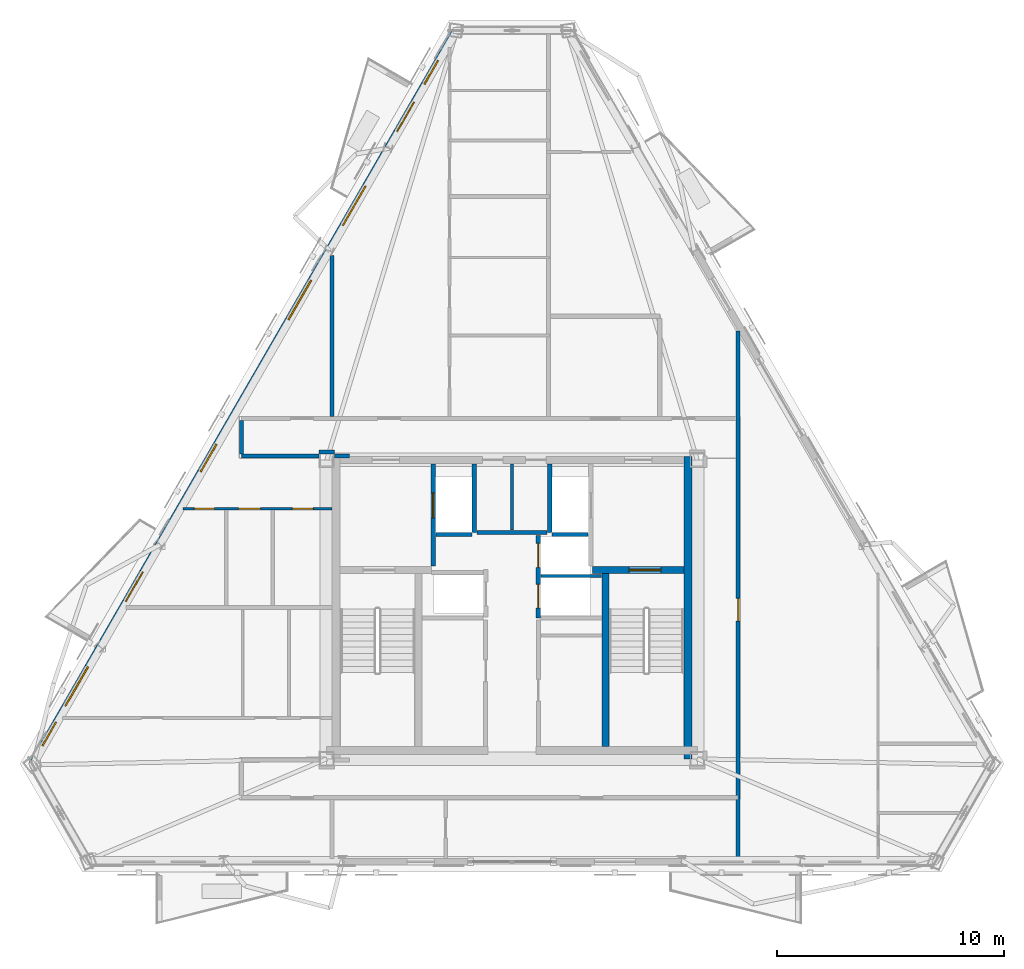
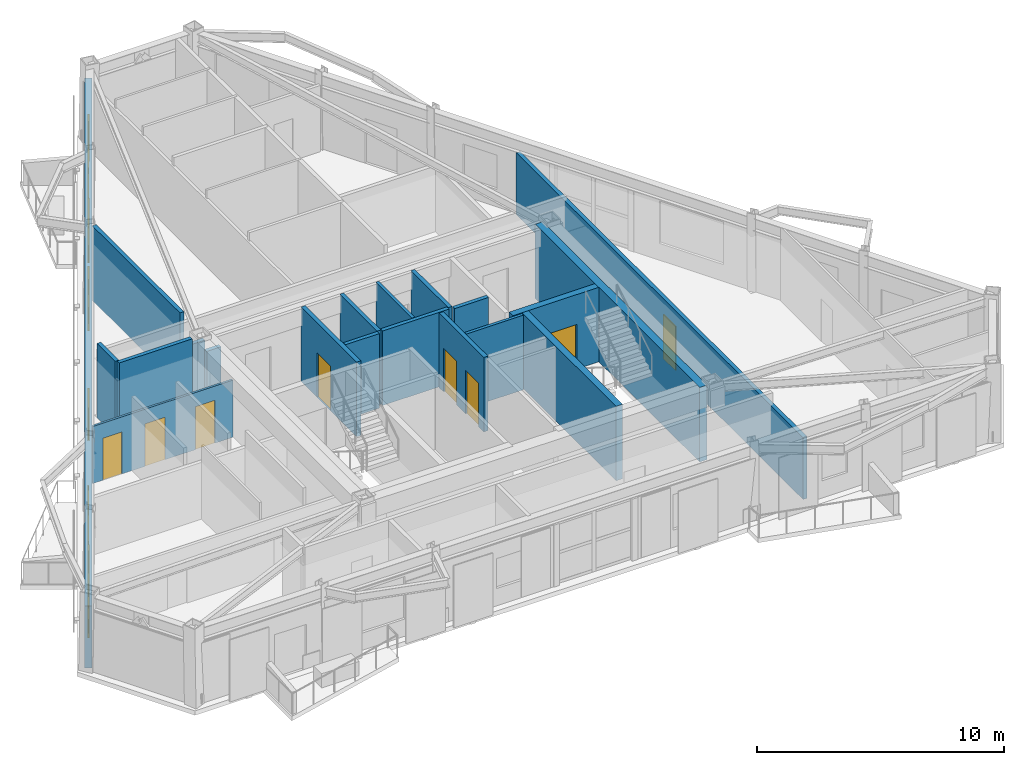
# One storey, part 9 of 15: 20 walls, 10 doors, 6 windows, 16 openings.
"""IFC4 building model written with IfcOpenShell, lengths in metres."""

from ifc_helpers import new_model, si_unit, direction, frame, frame_2d, origin, place, context, subcontext, project, spatial, rectangle, extrude, material, layer, layer_set, type_object, element, fill, save


model = new_model("IFC4")

# Units and contexts
model_context = context("Model", 3, precision=1e-05, world=origin(), true_north=direction((0.0, 1.0)))
body_context = subcontext(model_context, "Body", "Model", "MODEL_VIEW")
ifc_project = project(units=[si_unit("LENGTHUNIT", "METRE"), si_unit("AREAUNIT", "SQUARE_METRE"), si_unit("VOLUMEUNIT", "CUBIC_METRE"), si_unit("PLANEANGLEUNIT", "RADIAN"), si_unit("MASSUNIT", "GRAM", prefix="KILO")], contexts=[model_context])

# Site, building, storey
site_placement = place(None, origin())
site = spatial("IfcSite", under=ifc_project, at=site_placement, CompositionType="ELEMENT")
building_placement = place(site_placement, origin())
building = spatial("IfcBuilding", under=site, at=building_placement, Name="Oramaril Tower", CompositionType="ELEMENT")
storey_placement = place(building_placement, frame((0.0, 0.0, 265.5)))
storey = spatial("IfcBuildingStorey", under=building, at=storey_placement, Name="L70", CompositionType="ELEMENT", Elevation=265.5)

# Wall, openings, doors, windows
ifc_material_1 = material(Name="Warm Cream Limestone", Category="masonry")
ifc_layer_1 = layer(ifc_material_1, 0.2900390625)
ifc_layer_set_1 = layer_set([ifc_layer_1], Name="WT-EXT29")
wall_type_1 = type_object("IfcWallType", Name="WT-EXT29", PredefinedType="SOLIDWALL", material=ifc_layer_set_1)
wall_1_placement = place(storey_placement, frame((35.01220703125, 43.04150390625, 0.0), z_axis=(0.0, 0.0, 1.0), x_axis=(-0.49999932964, -0.866025790817, 0.0)))
wall_1 = element("IfcWall", 1, at=wall_1_placement, inside=storey, type_object=wall_type_1, Name="L70 Tower Limestone Facade Wall 6M", PredefinedType="SOLIDWALL", context=body_context, shape_type="SweptSolid", body=[
    extrude(rectangle(XDim=37.248046875, YDim=0.2900390625, at=frame_2d((18.6240234375, 0.0))), origin(), (0.0, 0.0, 1.0), 3.05810546875),
])
opening_1_placement = place(wall_1_placement, frame((3.639404296875, 0.0, 0.0)))
opening_1 = element("IfcOpeningElement", 2, at=opening_1_placement, cuts=wall_1, Name="Opening D-L70-BAL-NW1", PredefinedType="OPENING", context=body_context, shape_type="SweptSolid", body=[
    extrude(rectangle(XDim=1.5, YDim=2.199951171875, at=frame_2d((0.75, 1.10009765625))), frame((0.0, 0.14501953125, 0.0), z_axis=(0.0, -1.0, 0.0), x_axis=(1.0, 0.0, 0.0)), (0.0, 0.0, 1.0), 0.2900390625),
])
opening_2_placement = place(wall_1_placement, frame((27.50390625, 0.0, 0.0)))
opening_2 = element("IfcOpeningElement", 3, at=opening_2_placement, cuts=wall_1, Name="Opening D-L70-BAL-NW2", PredefinedType="OPENING", context=body_context, shape_type="SweptSolid", body=[
    extrude(rectangle(XDim=1.5, YDim=2.199951171875, at=frame_2d((0.75, 1.10009765625))), frame((0.0, 0.14501953125, 0.0), z_axis=(0.0, -1.0, 0.0), x_axis=(1.0, 0.0, 0.0)), (0.0, 0.0, 1.0), 0.2900390625),
])
opening_3_placement = place(wall_1_placement, frame((35.134521484375, 0.0, 0.85009765625)))
opening_3 = element("IfcOpeningElement", 4, at=opening_3_placement, cuts=wall_1, Name="Opening WN-09", PredefinedType="OPENING", context=body_context, shape_type="SweptSolid", body=[
    extrude(rectangle(XDim=1.199951171875, YDim=1.47998046875, at=frame_2d((0.60009765625, 0.739990234375))), frame((0.0, 0.14501953125, 0.0), z_axis=(0.0, -1.0, 0.0), x_axis=(1.0, 0.0, 0.0)), (0.0, 0.0, 1.0), 0.2900390625),
])
opening_4_placement = place(wall_1_placement, frame((32.3212890625, 0.0, 0.85009765625)))
opening_4 = element("IfcOpeningElement", 5, at=opening_4_placement, cuts=wall_1, Name="Opening WN-05", PredefinedType="OPENING", context=body_context, shape_type="SweptSolid", body=[
    extrude(rectangle(XDim=2.0, YDim=1.800048828125, at=frame_2d((1.0, 0.89990234375))), frame((0.0, 0.14501953125, 0.0), z_axis=(0.0, -1.0, 0.0), x_axis=(1.0, 0.0, 0.0)), (0.0, 0.0, 1.0), 0.2900390625),
])
opening_5_placement = place(wall_1_placement, frame((12.69091796875, 0.0, 0.85009765625)))
opening_5 = element("IfcOpeningElement", 6, at=opening_5_placement, cuts=wall_1, Name="Opening WN-05", PredefinedType="OPENING", context=body_context, shape_type="SweptSolid", body=[
    extrude(rectangle(XDim=2.0, YDim=1.800048828125, at=frame_2d((1.0, 0.89990234375))), frame((0.0, 0.14501953125, 0.0), z_axis=(0.0, -1.0, 0.0), x_axis=(1.0, 0.0, 0.0)), (0.0, 0.0, 1.0), 0.2900390625),
])
opening_6_placement = place(wall_1_placement, frame((21.018798828125, 0.0, 0.85009765625)))
opening_6 = element("IfcOpeningElement", 7, at=opening_6_placement, cuts=wall_1, Name="Opening WN-08", PredefinedType="OPENING", context=body_context, shape_type="SweptSolid", body=[
    extrude(rectangle(XDim=1.39990234375, YDim=1.60009765625, at=frame_2d((0.699951171875, 0.800048828125))), frame((0.0, 0.14501953125, 0.0), z_axis=(0.0, -1.0, 0.0), x_axis=(1.0, 0.0, 0.0)), (0.0, 0.0, 1.0), 0.2900390625),
])
opening_7_placement = place(wall_1_placement, frame((1.52880859375, 0.0, 0.85009765625)))
opening_7 = element("IfcOpeningElement", 8, at=opening_7_placement, cuts=wall_1, Name="Opening WN-09", PredefinedType="OPENING", context=body_context, shape_type="SweptSolid", body=[
    extrude(rectangle(XDim=1.199951171875, YDim=1.47998046875, at=frame_2d((0.60009765625, 0.739990234375))), frame((0.0, 0.14501953125, 0.0), z_axis=(0.0, -1.0, 0.0), x_axis=(1.0, 0.0, 0.0)), (0.0, 0.0, 1.0), 0.2900390625),
])
opening_8_placement = place(wall_1_placement, frame((7.90380859375, 0.0, 0.85009765625)))
opening_8 = element("IfcOpeningElement", 9, at=opening_8_placement, cuts=wall_1, Name="Opening WN-05", PredefinedType="OPENING", context=body_context, shape_type="SweptSolid", body=[
    extrude(rectangle(XDim=2.0, YDim=1.800048828125, at=frame_2d((1.0, 0.89990234375))), frame((0.0, 0.14501953125, 0.0), z_axis=(0.0, -1.0, 0.0), x_axis=(1.0, 0.0, 0.0)), (0.0, 0.0, 1.0), 0.2900390625),
])
ifc_material_2 = material(Name="Anodised Aluminium 6063-T6", Category="aluminium")
door_type_1 = type_object("IfcDoorType", Name="DT-BAL", OperationType="NOTDEFINED", PredefinedType="DOOR", material=ifc_material_2)
door_1_placement = place(opening_1_placement, origin())
door_1 = element("IfcDoor", 10, at=door_1_placement, inside=storey, type_object=door_type_1, Name="L70 Balcony Glazed Door L70-BAL-NW1", OperationType="SINGLE_SWING_LEFT", OverallHeight=2.199951171875, OverallWidth=1.5, PredefinedType="DOOR", context=body_context, shape_type="SweptSolid", body=[
    extrude(rectangle(XDim=1.5, YDim=2.199951171875, at=frame_2d((0.75, 1.10009765625))), frame((0.0, 0.02490234375, 0.0), z_axis=(0.0, -1.0, 0.0), x_axis=(1.0, 0.0, 0.0)), (0.0, 0.0, 1.0), 0.050048828125),
])
fill(opening_1, door_1)
door_2_placement = place(opening_2_placement, origin())
door_2 = element("IfcDoor", 11, at=door_2_placement, inside=storey, type_object=door_type_1, Name="L70 Balcony Glazed Door L70-BAL-NW2", OperationType="SINGLE_SWING_RIGHT", OverallHeight=2.199951171875, OverallWidth=1.5, PredefinedType="DOOR", context=body_context, shape_type="SweptSolid", body=[
    extrude(rectangle(XDim=1.5, YDim=2.199951171875, at=frame_2d((0.75, 1.10009765625))), frame((0.0, 0.02490234375, 0.0), z_axis=(0.0, -1.0, 0.0), x_axis=(1.0, 0.0, 0.0)), (0.0, 0.0, 1.0), 0.050048828125),
])
fill(opening_2, door_2)
ifc_material_3 = material(Name="Coastal Low-E Insulated Glass", Category="glass")
window_type_1 = type_object("IfcWindowType", Name="WNT-05", PartitioningType="SINGLE_PANEL", PredefinedType="WINDOW", material=ifc_material_3)
window_1_placement = place(opening_4_placement, origin())
window_1 = element("IfcWindow", 12, at=window_1_placement, inside=storey, type_object=window_type_1, Name="L70 Chicago Bay Window WN-05", OverallHeight=1.800048828125, OverallWidth=2.0, PartitioningType="SINGLE_PANEL", PredefinedType="WINDOW", context=body_context, shape_type="SweptSolid", body=[
    extrude(rectangle(XDim=2.0, YDim=1.800048828125, at=frame_2d((1.0, 0.89990234375))), frame((0.0, 0.030029296875, 0.0), z_axis=(0.0, -1.0, 0.0), x_axis=(1.0, 0.0, 0.0)), (0.0, 0.0, 1.0), 0.06005859375),
])
fill(opening_4, window_1)
window_2_placement = place(opening_5_placement, origin())
window_2 = element("IfcWindow", 13, at=window_2_placement, inside=storey, type_object=window_type_1, Name="L70 Chicago Bay Window WN-05", OverallHeight=1.800048828125, OverallWidth=2.0, PartitioningType="SINGLE_PANEL", PredefinedType="WINDOW", context=body_context, shape_type="SweptSolid", body=[
    extrude(rectangle(XDim=2.0, YDim=1.800048828125, at=frame_2d((1.0, 0.89990234375))), frame((0.0, 0.030029296875, 0.0), z_axis=(0.0, -1.0, 0.0), x_axis=(1.0, 0.0, 0.0)), (0.0, 0.0, 1.0), 0.06005859375),
])
fill(opening_5, window_2)
window_3_placement = place(opening_8_placement, origin())
window_3 = element("IfcWindow", 14, at=window_3_placement, inside=storey, type_object=window_type_1, Name="L70 Chicago Bay Window WN-05", OverallHeight=1.800048828125, OverallWidth=2.0, PartitioningType="SINGLE_PANEL", PredefinedType="WINDOW", context=body_context, shape_type="SweptSolid", body=[
    extrude(rectangle(XDim=2.0, YDim=1.800048828125, at=frame_2d((1.0, 0.89990234375))), frame((0.0, 0.030029296875, 0.0), z_axis=(0.0, -1.0, 0.0), x_axis=(1.0, 0.0, 0.0)), (0.0, 0.0, 1.0), 0.06005859375),
])
fill(opening_8, window_3)
ifc_material_4 = material(Name="Coastal Low-E Insulated Glass", Category="glass")
window_type_2 = type_object("IfcWindowType", Name="WNT-08", PartitioningType="SINGLE_PANEL", PredefinedType="WINDOW", material=ifc_material_4)
window_4_placement = place(opening_6_placement, origin())
window_4 = element("IfcWindow", 15, at=window_4_placement, inside=storey, type_object=window_type_2, Name="L70 Chicago Bay Window WN-08", OverallHeight=1.60009765625, OverallWidth=1.39990234375, PartitioningType="SINGLE_PANEL", PredefinedType="WINDOW", context=body_context, shape_type="SweptSolid", body=[
    extrude(rectangle(XDim=1.39990234375, YDim=1.60009765625, at=frame_2d((0.699951171875, 0.800048828125))), frame((0.0, 0.030029296875, 0.0), z_axis=(0.0, -1.0, 0.0), x_axis=(1.0, 0.0, 0.0)), (0.0, 0.0, 1.0), 0.06005859375),
])
fill(opening_6, window_4)
ifc_material_5 = material(Name="Coastal Low-E Insulated Glass", Category="glass")
window_type_3 = type_object("IfcWindowType", Name="WNT-09", PartitioningType="SINGLE_PANEL", PredefinedType="WINDOW", material=ifc_material_5)
window_5_placement = place(opening_3_placement, origin())
window_5 = element("IfcWindow", 16, at=window_5_placement, inside=storey, type_object=window_type_3, Name="L70 Chicago Bay Window WN-09", OverallHeight=1.47998046875, OverallWidth=1.199951171875, PartitioningType="SINGLE_PANEL", PredefinedType="WINDOW", context=body_context, shape_type="SweptSolid", body=[
    extrude(rectangle(XDim=1.199951171875, YDim=1.47998046875, at=frame_2d((0.60009765625, 0.739990234375))), frame((0.0, 0.030029296875, 0.0), z_axis=(0.0, -1.0, 0.0), x_axis=(1.0, 0.0, 0.0)), (0.0, 0.0, 1.0), 0.06005859375),
])
fill(opening_3, window_5)
window_6_placement = place(opening_7_placement, origin())
window_6 = element("IfcWindow", 17, at=window_6_placement, inside=storey, type_object=window_type_3, Name="L70 Chicago Bay Window WN-09", OverallHeight=1.47998046875, OverallWidth=1.199951171875, PartitioningType="SINGLE_PANEL", PredefinedType="WINDOW", context=body_context, shape_type="SweptSolid", body=[
    extrude(rectangle(XDim=1.199951171875, YDim=1.47998046875, at=frame_2d((0.60009765625, 0.739990234375))), frame((0.0, 0.030029296875, 0.0), z_axis=(0.0, -1.0, 0.0), x_axis=(1.0, 0.0, 0.0)), (0.0, 0.0, 1.0), 0.06005859375),
])
fill(opening_7, window_6)

# Wall, openings, doors
ifc_material_6 = material(Name="Acoustic Gypsum Board Partition")
ifc_layer_2 = layer(ifc_material_6, 0.10009765625)
ifc_layer_set_2 = layer_set([ifc_layer_2], Name="WT-PT10")
wall_type_2 = type_object("IfcWallType", Name="WT-PT10", PredefinedType="PARTITIONING", material=ifc_layer_set_2)
wall_2_placement = place(storey_placement, frame((23.035888671875, 22.0, 0.0), z_axis=(0.0, 0.0, 1.0), x_axis=(1.0, 0.0, 0.0)))
wall_2 = element("IfcWall", 18, at=wall_2_placement, inside=storey, type_object=wall_type_2, Name="L70 Interior Partition PT-10", PredefinedType="PARTITIONING", context=body_context, shape_type="SweptSolid", body=[
    extrude(rectangle(XDim=6.550048828125, YDim=0.10009765625, at=frame_2d((3.27490234375, 0.0))), origin(), (0.0, 0.0, 1.0), 2.820068359375),
])
opening_9_placement = place(wall_2_placement, frame((0.4912109375, 0.0, 0.0)))
opening_9 = element("IfcOpeningElement", 19, at=opening_9_placement, cuts=wall_2, Name="Opening D-L70-06", PredefinedType="OPENING", context=body_context, shape_type="SweptSolid", body=[
    extrude(rectangle(XDim=0.8798828125, YDim=2.080078125, at=frame_2d((0.43994140625, 1.0400390625))), frame((0.0, 0.050048828125, 0.0), z_axis=(0.0, -1.0, 0.0), x_axis=(1.0, 0.0, 0.0)), (0.0, 0.0, 1.0), 0.10009765625),
])
opening_10_placement = place(wall_2_placement, frame((2.441162109375, 0.0, 0.0)))
opening_10 = element("IfcOpeningElement", 20, at=opening_10_placement, cuts=wall_2, Name="Opening D-L70-07", PredefinedType="OPENING", context=body_context, shape_type="SweptSolid", body=[
    extrude(rectangle(XDim=0.949951171875, YDim=2.10009765625, at=frame_2d((0.47509765625, 1.050048828125))), frame((0.0, 0.050048828125, 0.0), z_axis=(0.0, -1.0, 0.0), x_axis=(1.0, 0.0, 0.0)), (0.0, 0.0, 1.0), 0.10009765625),
])
opening_11_placement = place(wall_2_placement, frame((4.797607421875, 0.0, 0.0)))
opening_11 = element("IfcOpeningElement", 21, at=opening_11_placement, cuts=wall_2, Name="Opening D-L70-08", PredefinedType="OPENING", context=body_context, shape_type="SweptSolid", body=[
    extrude(rectangle(XDim=0.919921875, YDim=2.1201171875, at=frame_2d((0.4599609375, 1.06005859375))), frame((0.0, 0.050048828125, 0.0), z_axis=(0.0, -1.0, 0.0), x_axis=(1.0, 0.0, 0.0)), (0.0, 0.0, 1.0), 0.10009765625),
])
ifc_material_7 = material(Name="FSC Brazilian Freijo Hardwood", Category="wood")
door_type_2 = type_object("IfcDoorType", Name="DT-BATH", OperationType="NOTDEFINED", PredefinedType="DOOR", material=ifc_material_7)
door_3_placement = place(opening_9_placement, origin())
door_3 = element("IfcDoor", 22, at=door_3_placement, inside=storey, type_object=door_type_2, Name="L70 Flat L70-U3 Bathroom Door D-L70-06", OperationType="SINGLE_SWING_LEFT", OverallHeight=2.080078125, OverallWidth=0.8798828125, PredefinedType="DOOR", context=body_context, shape_type="SweptSolid", body=[
    extrude(rectangle(XDim=0.8798828125, YDim=2.080078125, at=frame_2d((0.43994140625, 1.0400390625))), frame((0.0, 0.02490234375, 0.0), z_axis=(0.0, -1.0, 0.0), x_axis=(1.0, 0.0, 0.0)), (0.0, 0.0, 1.0), 0.050048828125),
])
fill(opening_9, door_3)
ifc_material_8 = material(Name="FSC Brazilian Freijo Hardwood", Category="wood")
door_type_3 = type_object("IfcDoorType", Name="DT-BED", OperationType="NOTDEFINED", PredefinedType="DOOR", material=ifc_material_8)
door_4_placement = place(opening_11_placement, origin())
door_4 = element("IfcDoor", 23, at=door_4_placement, inside=storey, type_object=door_type_3, Name="L70 Flat L70-U3 Master Bedroom Door D-L70-08", OperationType="SINGLE_SWING_LEFT", OverallHeight=2.1201171875, OverallWidth=0.919921875, PredefinedType="DOOR", context=body_context, shape_type="SweptSolid", body=[
    extrude(rectangle(XDim=0.919921875, YDim=2.1201171875, at=frame_2d((0.4599609375, 1.06005859375))), frame((0.0, 0.02490234375, 0.0), z_axis=(0.0, -1.0, 0.0), x_axis=(1.0, 0.0, 0.0)), (0.0, 0.0, 1.0), 0.050048828125),
])
fill(opening_11, door_4)
ifc_material_9 = material(Name="FSC Brazilian Freijo Hardwood", Category="wood")
door_type_4 = type_object("IfcDoorType", Name="DT-STDY", OperationType="NOTDEFINED", PredefinedType="DOOR", material=ifc_material_9)
door_5_placement = place(opening_10_placement, origin())
door_5 = element("IfcDoor", 24, at=door_5_placement, inside=storey, type_object=door_type_4, Name="L70 Flat L70-U3 Kitchen Door D-L70-07", OperationType="SINGLE_SWING_RIGHT", OverallHeight=2.10009765625, OverallWidth=0.949951171875, PredefinedType="DOOR", context=body_context, shape_type="SweptSolid", body=[
    extrude(rectangle(XDim=0.949951171875, YDim=2.10009765625, at=frame_2d((0.47509765625, 1.050048828125))), frame((0.0, 0.02490234375, 0.0), z_axis=(0.0, -1.0, 0.0), x_axis=(1.0, 0.0, 0.0)), (0.0, 0.0, 1.0), 0.050048828125),
])
fill(opening_10, door_5)

# Walls
ifc_material_10 = material(Name="Acoustic Gypsum Board Partition")
ifc_layer_3 = layer(ifc_material_10, 0.139892578125)
ifc_layer_set_3 = layer_set([ifc_layer_3], Name="WT-PT14")
wall_type_3 = type_object("IfcWallType", Name="WT-PT14", PredefinedType="PARTITIONING", material=ifc_layer_set_3)
wall_3_placement = place(storey_placement, frame((38.780029296875, 19.050048828125, 0.0), z_axis=(0.0, 0.0, 1.0), x_axis=(1.0, 0.0, 0.0)))
element("IfcWall", 25, at=wall_3_placement, inside=storey, type_object=wall_type_3, Name="L70 High-Rise Lift H2-H3 Divider", PredefinedType="PARTITIONING", context=body_context, shape_type="SweptSolid", body=[
    extrude(rectangle(XDim=2.659912109375, YDim=0.139892578125, at=frame_2d((1.330078125, 0.0))), origin(), (0.0, 0.0, 1.0), 3.679931640625),
])
wall_4_placement = place(storey_placement, frame((37.5, 21.06005859375, 0.0), z_axis=(0.0, 0.0, 1.0), x_axis=(0.0, 1.0, 0.0)))
element("IfcWall", 26, at=wall_4_placement, inside=storey, type_object=wall_type_3, Name="L70 Core Service Divider", PredefinedType="PARTITIONING", context=body_context, shape_type="SweptSolid", body=[
    extrude(rectangle(XDim=2.919921875, YDim=0.139892578125, at=frame_2d((1.4599609375, 0.0))), origin(), (0.0, 0.0, 1.0), 3.679931640625),
])
ifc_material_11 = material(Name="Autoclaved Cellular Concrete Block", Category="concrete")
ifc_layer_4 = layer(ifc_material_11, 0.179931640625)
ifc_layer_set_4 = layer_set([ifc_layer_4], Name="WT-PT18")
wall_type_4 = type_object("IfcWallType", Name="WT-PT18", PredefinedType="PARTITIONING", material=ifc_layer_set_4)
wall_5_placement = place(storey_placement, frame((35.840087890625, 20.9599609375, 0.0), z_axis=(0.0, 0.0, 1.0), x_axis=(0.0, 1.0, 0.0)))
element("IfcWall", 27, at=wall_5_placement, inside=storey, type_object=wall_type_4, Name="L70 FL-1 East Shaft Wall", PredefinedType="PARTITIONING", context=body_context, shape_type="SweptSolid", body=[
    extrude(rectangle(XDim=3.02001953125, YDim=0.179931640625, at=frame_2d((1.510009765625, 0.0))), origin(), (0.0, 0.0, 1.0), 3.679931640625),
])
wall_6_placement = place(storey_placement, frame((34.159912109375, 20.860107421875, 0.0), z_axis=(0.0, 0.0, 1.0), x_axis=(1.0, 0.0, 0.0)))
element("IfcWall", 28, at=wall_6_placement, inside=storey, type_object=wall_type_4, Name="L70 FL-1 South Shaft Wall", PredefinedType="PARTITIONING", context=body_context, shape_type="SweptSolid", body=[
    extrude(rectangle(XDim=1.580078125, YDim=0.179931640625, at=frame_2d((0.7900390625, 0.0))), origin(), (0.0, 0.0, 1.0), 3.679931640625),
])
wall_7_placement = place(storey_placement, frame((39.159912109375, 20.9599609375, 0.0), z_axis=(0.0, 0.0, 1.0), x_axis=(0.0, 1.0, 0.0)))
element("IfcWall", 29, at=wall_7_placement, inside=storey, type_object=wall_type_4, Name="L70 FL-2 West Shaft Wall", PredefinedType="PARTITIONING", context=body_context, shape_type="SweptSolid", body=[
    extrude(rectangle(XDim=3.02001953125, YDim=0.179931640625, at=frame_2d((1.510009765625, 0.0))), origin(), (0.0, 0.0, 1.0), 3.679931640625),
])
wall_8_placement = place(storey_placement, frame((39.260009765625, 20.860107421875, 0.0), z_axis=(0.0, 0.0, 1.0), x_axis=(1.0, 0.0, 0.0)))
element("IfcWall", 30, at=wall_8_placement, inside=storey, type_object=wall_type_4, Name="L70 FL-2 South Shaft Wall", PredefinedType="PARTITIONING", context=body_context, shape_type="SweptSolid", body=[
    extrude(rectangle(XDim=1.580078125, YDim=0.179931640625, at=frame_2d((0.7900390625, 0.0))), origin(), (0.0, 0.0, 1.0), 3.679931640625),
])
wall_9_placement = place(storey_placement, frame((35.949951171875, 20.949951171875, 0.0), z_axis=(0.0, 0.0, 1.0), x_axis=(1.0, 0.0, 0.0)))
element("IfcWall", 31, at=wall_9_placement, inside=storey, type_object=wall_type_4, Name="L70 Lift Lobby North Partition", PredefinedType="PARTITIONING", context=body_context, shape_type="SweptSolid", body=[
    extrude(rectangle(XDim=3.10009765625, YDim=0.179931640625, at=frame_2d((1.550048828125, 0.0))), origin(), (0.0, 0.0, 1.0), 3.679931640625),
])
wall_10_placement = place(storey_placement, frame((25.60009765625, 24.320068359375, 0.0), z_axis=(0.0, 0.0, 1.0), x_axis=(1.0, 0.0, 0.0)))
element("IfcWall", 32, at=wall_10_placement, inside=storey, type_object=wall_type_4, Name="L70 Interior Partition PT-18", PredefinedType="PARTITIONING", context=body_context, shape_type="SweptSolid", body=[
    extrude(rectangle(XDim=3.409912109375, YDim=0.179931640625, at=frame_2d((1.705078125, 0.0))), origin(), (0.0, 0.0, 1.0), 3.679931640625),
])
wall_11_placement = place(storey_placement, frame((29.68994140625, 24.320068359375, 0.0), z_axis=(0.0, 0.0, 1.0), x_axis=(1.0, 0.0, 0.0)))
element("IfcWall", 33, at=wall_11_placement, inside=storey, type_object=wall_type_4, Name="L70 Interior Partition PT-18", PredefinedType="PARTITIONING", context=body_context, shape_type="SweptSolid", body=[
    extrude(rectangle(XDim=0.6650390625, YDim=0.179931640625, at=frame_2d((0.33251953125, 0.0))), origin(), (0.0, 0.0, 1.0), 2.820068359375),
])
wall_12_placement = place(storey_placement, frame((29.0048828125, 24.5, 0.0), z_axis=(0.0, 0.0, 1.0), x_axis=(1.0, 0.0, 0.0)))
element("IfcWall", 34, at=wall_12_placement, inside=storey, type_object=wall_type_4, Name="L70 Interior Partition PT-18", PredefinedType="PARTITIONING", context=body_context, shape_type="SweptSolid", body=[
    extrude(rectangle(XDim=0.690185546875, YDim=0.179931640625, at=frame_2d((0.34521484375, 0.0))), origin(), (0.0, 0.0, 1.0), 3.26611328125),
])
wall_13_placement = place(storey_placement, frame((25.60009765625, 24.4140625, 0.0), z_axis=(0.0, 0.0, 1.0), x_axis=(0.0, 1.0, 0.0)))
element("IfcWall", 35, at=wall_13_placement, inside=storey, type_object=wall_type_4, Name="L70 Interior Partition PT-18", PredefinedType="PARTITIONING", context=body_context, shape_type="SweptSolid", body=[
    extrude(rectangle(XDim=1.4619140625, YDim=0.179931640625, at=frame_2d((0.73095703125, 0.0))), origin(), (0.0, 0.0, 1.0), 3.679931640625),
])
wall_14_placement = place(storey_placement, frame((29.580078125, 26.06396484375, 0.0), z_axis=(0.0, 0.0, 1.0), x_axis=(0.0, 1.0, 0.0)))
element("IfcWall", 36, at=wall_14_placement, inside=storey, type_object=wall_type_4, Name="L70 Interior Partition PT-18", PredefinedType="PARTITIONING", context=body_context, shape_type="SweptSolid", body=[
    extrude(rectangle(XDim=7.087890625, YDim=0.179931640625, at=frame_2d((3.5439453125, 0.0))), origin(), (0.0, 0.0, 1.0), 3.679931640625),
])

# Wall, opening, door
wall_15_placement = place(storey_placement, frame((47.449951171875, 6.623779296875, 0.0), z_axis=(0.0, 0.0, 1.0), x_axis=(0.0, 1.0, 0.0)))
wall_15 = element("IfcWall", 37, at=wall_15_placement, inside=storey, type_object=wall_type_4, Name="L70 Interior Partition PT-18", PredefinedType="PARTITIONING", context=body_context, shape_type="SweptSolid", body=[
    extrude(rectangle(XDim=23.19482421875, YDim=0.179931640625, at=frame_2d((11.597412109375, 0.0))), origin(), (0.0, 0.0, 1.0), 3.05810546875),
])
opening_12_placement = place(wall_15_placement, frame((10.4365234375, 0.0, 0.0)))
opening_12 = element("IfcOpeningElement", 38, at=opening_12_placement, cuts=wall_15, Name="Opening D-L70-21", PredefinedType="OPENING", context=body_context, shape_type="SweptSolid", body=[
    extrude(rectangle(XDim=1.0, YDim=2.179931640625, at=frame_2d((0.5, 1.08984375))), frame((0.0, 0.08984375, 0.0), z_axis=(0.0, -1.0, 0.0), x_axis=(1.0, 0.0, 0.0)), (0.0, 0.0, 1.0), 0.179931640625),
])
ifc_material_12 = material(Name="FSC Brazilian Freijo Hardwood", Category="wood")
door_type_5 = type_object("IfcDoorType", Name="DT-APT", OperationType="NOTDEFINED", PredefinedType="DOOR", material=ifc_material_12)
door_6_placement = place(opening_12_placement, origin())
door_6 = element("IfcDoor", 39, at=door_6_placement, inside=storey, type_object=door_type_5, Name="L70 Flat L70-U4 Penthouse Living and Dining Room Door D-L70-21", OperationType="SINGLE_SWING_RIGHT", OverallHeight=2.179931640625, OverallWidth=1.0, PredefinedType="DOOR", context=body_context, shape_type="SweptSolid", body=[
    extrude(rectangle(XDim=1.0, YDim=2.179931640625, at=frame_2d((0.5, 1.08984375))), frame((0.0, 0.02490234375, 0.0), z_axis=(0.0, -1.0, 0.0), x_axis=(1.0, 0.0, 0.0)), (0.0, 0.0, 1.0), 0.050048828125),
])
fill(opening_12, door_6)

ifc_material_13 = material(Name="Concrete C50/60", Category="concrete")
ifc_layer_5 = layer(ifc_material_13, 0.300048828125)
ifc_layer_set_5 = layer_set([ifc_layer_5], Name="WT-SH30")
wall_type_5 = type_object("IfcWallType", Name="WT-SH30", PredefinedType="SHEAR", material=ifc_layer_set_5)
wall_16_placement = place(storey_placement, frame((41.050048828125, 19.31005859375, 0.0), z_axis=(0.0, 0.0, 1.0), x_axis=(1.0, 0.0, 0.0)))
wall_16 = element("IfcWall", 40, at=wall_16_placement, inside=storey, type_object=wall_type_5, Name="L70 Core Shear Wall CW-ST2N", PredefinedType="SHEAR", context=body_context, shape_type="SweptSolid", body=[
    extrude(rectangle(XDim=4.010009765625, YDim=0.300048828125, at=frame_2d((2.0048828125, 0.0))), origin(), (0.0, 0.0, 1.0), 3.679931640625),
])
opening_13_placement = place(wall_16_placement, frame((1.60009765625, 0.0, 0.0)))
opening_13 = element("IfcOpeningElement", 41, at=opening_13_placement, cuts=wall_16, Name="Opening D-L70-ST2", PredefinedType="OPENING", context=body_context, shape_type="SweptSolid", body=[
    extrude(rectangle(XDim=1.39990234375, YDim=2.199951171875, at=frame_2d((0.699951171875, 1.10009765625))), frame((0.0, 0.14990234375, 0.0), z_axis=(0.0, -1.0, 0.0), x_axis=(1.0, 0.0, 0.0)), (0.0, 0.0, 1.0), 0.300048828125),
])
ifc_material_14 = material(Name="Painted Galvanised Steel", Category="steel")
door_type_6 = type_object("IfcDoorType", Name="DT-ST", OperationType="NOTDEFINED", PredefinedType="DOOR", material=ifc_material_14)
door_7_placement = place(opening_13_placement, origin())
door_7 = element("IfcDoor", 42, at=door_7_placement, inside=storey, type_object=door_type_6, Name="L70 Protected Stair ST-2 Fire Door", OperationType="SINGLE_SWING_RIGHT", OverallHeight=2.199951171875, OverallWidth=1.39990234375, PredefinedType="DOOR", context=body_context, shape_type="SweptSolid", body=[
    extrude(rectangle(XDim=1.39990234375, YDim=2.199951171875, at=frame_2d((0.699951171875, 1.10009765625))), frame((0.0, 0.02490234375, 0.0), z_axis=(0.0, -1.0, 0.0), x_axis=(1.0, 0.0, 0.0)), (0.0, 0.0, 1.0), 0.050048828125),
])
fill(opening_13, door_7)

# Walls
wall_17_placement = place(storey_placement, frame((41.6201171875, 11.5400390625, 0.0), z_axis=(0.0, 0.0, 1.0), x_axis=(0.0, 1.0, 0.0)))
element("IfcWall", 43, at=wall_17_placement, inside=storey, type_object=wall_type_5, Name="L70 Core Shear Wall CW-ST2W", PredefinedType="SHEAR", context=body_context, shape_type="SweptSolid", body=[
    extrude(rectangle(XDim=7.619873046875, YDim=0.300048828125, at=frame_2d((3.81005859375, 0.0))), origin(), (0.0, 0.0, 1.0), 3.679931640625),
])
ifc_material_15 = material(Name="Concrete C50/60", Category="concrete")
ifc_layer_6 = layer(ifc_material_15, 0.35009765625)
ifc_layer_set_6 = layer_set([ifc_layer_6], Name="WT-SH35")
wall_type_6 = type_object("IfcWallType", Name="WT-SH35", PredefinedType="SHEAR", material=ifc_layer_set_6)
wall_18_placement = place(storey_placement, frame((45.235107421875, 11.0, 0.0), z_axis=(0.0, 0.0, 1.0), x_axis=(0.0, 1.0, 0.0)))
element("IfcWall", 44, at=wall_18_placement, inside=storey, type_object=wall_type_6, Name="L70 Core Shear Wall CW-E", PredefinedType="SHEAR", context=body_context, shape_type="SweptSolid", body=[
    extrude(rectangle(XDim=13.300048828125, YDim=0.35009765625, at=frame_2d((6.64990234375, 0.0))), origin(), (0.0, 0.0, 1.0), 3.679931640625),
])

# Wall, opening, door
ifc_material_16 = material(Name="Autoclaved Cellular Concrete Block", Category="concrete")
ifc_layer_7 = layer(ifc_material_16, 0.199951171875)
ifc_layer_set_7 = layer_set([ifc_layer_7], Name="WT-SHF20")
wall_type_7 = type_object("IfcWallType", Name="WT-SHF20", PredefinedType="PARTITIONING", material=ifc_layer_set_7)
wall_19_placement = place(storey_placement, frame((34.0400390625, 19.47998046875, 0.0), z_axis=(0.0, 0.0, 1.0), x_axis=(0.0, 1.0, 0.0)))
wall_19 = element("IfcWall", 45, at=wall_19_placement, inside=storey, type_object=wall_type_7, Name="L70 FL-1 Lobby Shaft Wall", PredefinedType="PARTITIONING", context=body_context, shape_type="SweptSolid", body=[
    extrude(rectangle(XDim=4.5, YDim=0.199951171875, at=frame_2d((2.25, 0.0))), origin(), (0.0, 0.0, 1.0), 3.679931640625),
])
opening_14_placement = place(wall_19_placement, frame((2.1201171875, 0.0, 0.0)))
opening_14 = element("IfcOpeningElement", 46, at=opening_14_placement, cuts=wall_19, Name="Opening LD-L70-FL-1", PredefinedType="OPENING", context=body_context, shape_type="SweptSolid", body=[
    extrude(rectangle(XDim=1.10009765625, YDim=2.199951171875, at=frame_2d((0.550048828125, 1.10009765625))), frame((0.0, 0.10009765625, 0.0), z_axis=(0.0, -1.0, 0.0), x_axis=(1.0, 0.0, 0.0)), (0.0, 0.0, 1.0), 0.199951171875),
])
ifc_material_17 = material(Name="Stainless Steel 316L", Category="steel")
door_type_7 = type_object("IfcDoorType", Name="DT-LD1", OperationType="NOTDEFINED", PredefinedType="DOOR", material=ifc_material_17)
door_8_placement = place(opening_14_placement, origin())
door_8 = element("IfcDoor", 47, at=door_8_placement, inside=storey, type_object=door_type_7, Name="L70 Lift FL-1 Sliding Landing Door", OperationType="SLIDING_TO_LEFT", OverallHeight=2.199951171875, OverallWidth=1.10009765625, PredefinedType="DOOR", context=body_context, shape_type="SweptSolid", body=[
    extrude(rectangle(XDim=1.10009765625, YDim=2.199951171875, at=frame_2d((0.550048828125, 1.10009765625))), frame((0.0, 0.02490234375, 0.0), z_axis=(0.0, -1.0, 0.0), x_axis=(1.0, 0.0, 0.0)), (0.0, 0.0, 1.0), 0.050048828125),
])
fill(opening_14, door_8)

# Wall, openings, doors
wall_20_placement = place(storey_placement, frame((38.659912109375, 17.199951171875, 0.0), z_axis=(0.0, 0.0, 1.0), x_axis=(0.0, 1.0, 0.0)))
wall_20 = element("IfcWall", 48, at=wall_20_placement, inside=storey, type_object=wall_type_7, Name="L70 High-Rise Lift H2-H3 Front Wall", PredefinedType="PARTITIONING", context=body_context, shape_type="SweptSolid", body=[
    extrude(rectangle(XDim=3.6201171875, YDim=0.199951171875, at=frame_2d((1.81005859375, 0.0))), origin(), (0.0, 0.0, 1.0), 3.679931640625),
])
opening_15_placement = place(wall_20_placement, frame((0.425048828125, 0.0, 0.0)))
opening_15 = element("IfcOpeningElement", 49, at=opening_15_placement, cuts=wall_20, Name="Opening LD-L70-LP-H2", PredefinedType="OPENING", context=body_context, shape_type="SweptSolid", body=[
    extrude(rectangle(XDim=1.050048828125, YDim=2.14990234375, at=frame_2d((0.52490234375, 1.074951171875))), frame((0.0, 0.10009765625, 0.0), z_axis=(0.0, -1.0, 0.0), x_axis=(1.0, 0.0, 0.0)), (0.0, 0.0, 1.0), 0.199951171875),
])
opening_16_placement = place(wall_20_placement, frame((2.22509765625, 0.0, 0.0)))
opening_16 = element("IfcOpeningElement", 50, at=opening_16_placement, cuts=wall_20, Name="Opening LD-L70-LP-H3", PredefinedType="OPENING", context=body_context, shape_type="SweptSolid", body=[
    extrude(rectangle(XDim=1.050048828125, YDim=2.14990234375, at=frame_2d((0.52490234375, 1.074951171875))), frame((0.0, 0.10009765625, 0.0), z_axis=(0.0, -1.0, 0.0), x_axis=(1.0, 0.0, 0.0)), (0.0, 0.0, 1.0), 0.199951171875),
])
ifc_material_18 = material(Name="Stainless Steel 316L", Category="steel")
door_type_8 = type_object("IfcDoorType", Name="DT-LD2", OperationType="NOTDEFINED", PredefinedType="DOOR", material=ifc_material_18)
door_9_placement = place(opening_15_placement, origin())
door_9 = element("IfcDoor", 51, at=door_9_placement, inside=storey, type_object=door_type_8, Name="L70 Lift LP-H2 Sliding Landing Door", OperationType="SLIDING_TO_RIGHT", OverallHeight=2.14990234375, OverallWidth=1.050048828125, PredefinedType="DOOR", context=body_context, shape_type="SweptSolid", body=[
    extrude(rectangle(XDim=1.050048828125, YDim=2.14990234375, at=frame_2d((0.52490234375, 1.074951171875))), frame((0.0, 0.02490234375, 0.0), z_axis=(0.0, -1.0, 0.0), x_axis=(1.0, 0.0, 0.0)), (0.0, 0.0, 1.0), 0.050048828125),
])
fill(opening_15, door_9)
door_10_placement = place(opening_16_placement, origin())
door_10 = element("IfcDoor", 52, at=door_10_placement, inside=storey, type_object=door_type_8, Name="L70 Lift LP-H3 Sliding Landing Door", OperationType="SLIDING_TO_LEFT", OverallHeight=2.14990234375, OverallWidth=1.050048828125, PredefinedType="DOOR", context=body_context, shape_type="SweptSolid", body=[
    extrude(rectangle(XDim=1.050048828125, YDim=2.14990234375, at=frame_2d((0.52490234375, 1.074951171875))), frame((0.0, 0.02490234375, 0.0), z_axis=(0.0, -1.0, 0.0), x_axis=(1.0, 0.0, 0.0)), (0.0, 0.0, 1.0), 0.050048828125),
])
fill(opening_16, door_10)

save(model, "model.ifc")
